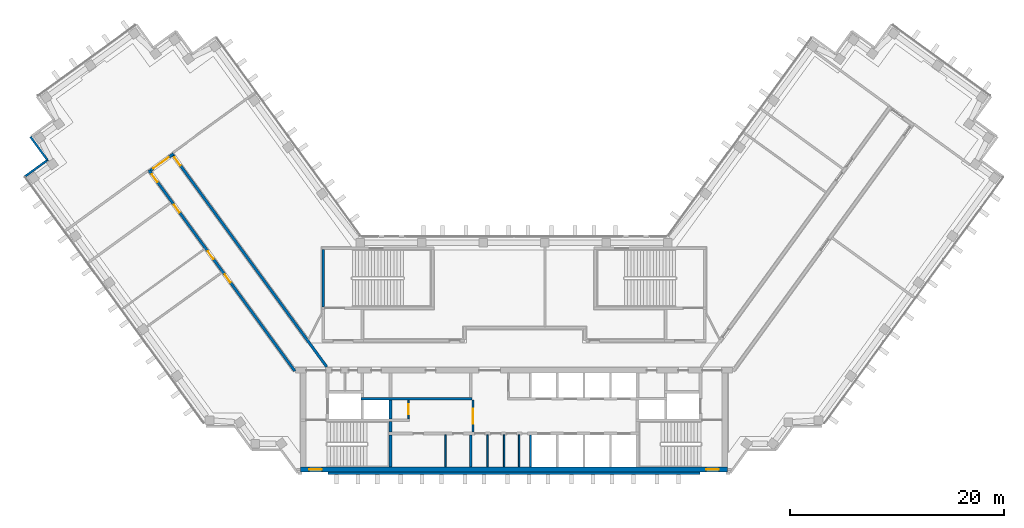
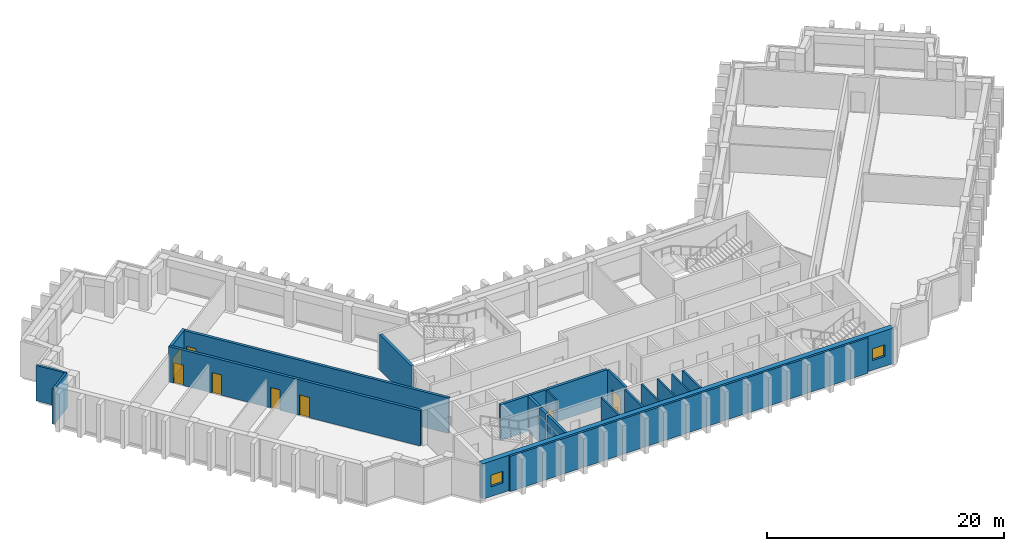
# One storey, part 4 of 10: 20 walls, 8 doors, 2 windows, 10 openings.
"""IFC4 building model written with IfcOpenShell, lengths in metres."""

import ifcopenshell
import ifcopenshell.guid

model = None  # the IFC model being written
_history = None  # IfcOwnerHistory: only IFC2X3 demands one
_inside = {}  # id of a spatial element -> (the spatial element, [elements in it])
_under = {}  # id of a project, library or spatial element -> (it, [spatial elements below it])
_declared = {}  # id of a project -> (the project, [libraries it declares])
_typed = {}  # id of a type object -> (the type object, [elements of that type])
_made_of = {}  # id of a material, layer set ... -> (it, [elements and type objects made of it])


def new_model(schema):
    """Start an empty IFC model of exactly this schema.

    Asked for "IFC4X3", IfcOpenShell would pick the latest addendum, in which some entities
    have other attributes; the version numbers below select the first issue.
    IFC2X3 requires an IfcOwnerHistory on every rooted entity: one is made here for all.
    """
    global model, _history
    if schema == "IFC4X3":
        model = ifcopenshell.file(schema_version=(4, 3, 0, 0))
    else:
        model = ifcopenshell.file(schema=schema)
    _inside.clear()
    _under.clear()
    _declared.clear()
    _typed.clear()
    _made_of.clear()
    _history = None
    if model.schema == "IFC2X3":
        org = make("IfcOrganization", Name="unknown")
        user = make(
            "IfcPersonAndOrganization",
            ThePerson=make("IfcPerson", FamilyName="unknown"),
            TheOrganization=org,
        )
        app = make(
            "IfcApplication",
            ApplicationDeveloper=org,
            Version="unknown",
            ApplicationFullName="unknown",
            ApplicationIdentifier="unknown",
        )
        _history = make(
            "IfcOwnerHistory",
            OwningUser=user,
            OwningApplication=app,
            ChangeAction="ADDED",
            CreationDate=0,
        )
    return model


def make(cls, **values):
    """One entity of the class cls with the attributes given. An attribute that is None is left unset."""
    return model.create_entity(
        cls, **{name: value for name, value in values.items() if value is not None}
    )


def rooted(cls, **values):
    """An entity with a GlobalId (a new one), such as an element, a storey or a relation."""
    return make(cls, GlobalId=ifcopenshell.guid.new(), OwnerHistory=_history, **values)


def si_unit(unit_type, name, prefix=None):
    """IfcSIUnit, for example si_unit("LENGTHUNIT", "METRE", prefix="MILLI")."""
    return make("IfcSIUnit", UnitType=unit_type, Prefix=prefix, Name=name)


def assignment(units):
    """IfcUnitAssignment: the units of a project."""
    return None if units is None else make("IfcUnitAssignment", Units=units)


def point(xyz):
    """IfcCartesianPoint."""
    return None if xyz is None else make("IfcCartesianPoint", Coordinates=xyz)


def direction(xyz):
    """IfcDirection."""
    return None if xyz is None else make("IfcDirection", DirectionRatios=xyz)


def frame(location, z_axis=None, x_axis=None):
    """IfcAxis2Placement3D, a coordinate frame: its origin and axes. An axis left out is left unset."""
    return make(
        "IfcAxis2Placement3D",
        Location=point(location),
        Axis=direction(z_axis),
        RefDirection=direction(x_axis),
    )


def frame_2d(location, x_axis=None):
    """IfcAxis2Placement2D, a coordinate frame in the plane: its origin and x axis."""
    return make(
        "IfcAxis2Placement2D", Location=point(location), RefDirection=direction(x_axis)
    )


def origin():
    """The frame at (0, 0, 0) with its axes left unset."""
    return frame((0.0, 0.0, 0.0))


def place(relative_to, where):
    """IfcLocalPlacement: puts the frame where relative to a parent placement (None: the world)."""
    return make(
        "IfcLocalPlacement", PlacementRelTo=relative_to, RelativePlacement=where
    )


def context(
    kind, dimensions, precision=None, world=None, true_north=None, identifier=None
):
    """IfcGeometricRepresentationContext, for example the 3D "Model" context."""
    return make(
        "IfcGeometricRepresentationContext",
        ContextIdentifier=identifier,
        ContextType=kind,
        CoordinateSpaceDimension=dimensions,
        Precision=precision,
        WorldCoordinateSystem=world,
        TrueNorth=true_north,
    )


def subcontext(parent, identifier, kind, view, scale=None):
    """IfcGeometricRepresentationSubContext, for example "Body" below "Model"."""
    return make(
        "IfcGeometricRepresentationSubContext",
        ContextIdentifier=identifier,
        ContextType=kind,
        ParentContext=parent,
        TargetScale=scale,
        TargetView=view,
    )


def project(units=None, contexts=None):
    """IfcProject with its units and contexts."""
    return rooted(
        "IfcProject",
        Name="project",
        RepresentationContexts=contexts,
        UnitsInContext=assignment(units),
    )


def spatial(cls, under=None, at=None, **own):
    """A site, building, storey or space (cls), placed at a placement, below another one or the project."""
    s = rooted(cls, ObjectPlacement=at, **own)
    if under is not None:
        _under.setdefault(under.id(), (under, []))[1].append(s)
    return s


def profile(cls, at=None, kind="AREA", **sizes):
    """A parametric profile (cls). Its sizes go by their IFC names, for example OverallWidth=200.0."""
    return make(cls, ProfileType=kind, Position=at, **sizes)


def rectangle(**sizes):
    """IfcRectangleProfileDef."""
    return profile("IfcRectangleProfileDef", **sizes)


def extrude(swept, where, along, depth):
    """IfcExtrudedAreaSolid: the profile swept, set in the frame where, extruded along a direction by depth."""
    return make(
        "IfcExtrudedAreaSolid",
        SweptArea=swept,
        Position=where,
        ExtrudedDirection=direction(along),
        Depth=depth,
    )


def shape(context_of_items, identifier, shape_type, items):
    """IfcShapeRepresentation: the items that make up one representation, for example the "Body"."""
    return make(
        "IfcShapeRepresentation",
        ContextOfItems=context_of_items,
        RepresentationIdentifier=identifier,
        RepresentationType=shape_type,
        Items=items,
    )


def material(Name=None, Category=None):
    """IfcMaterial."""
    return make("IfcMaterial", Name=Name, Category=Category)


def layer(
    of_material, thickness, ventilated=None, Name=None, Category=None, Priority=None
):
    """IfcMaterialLayer: one layer of a wall or slab, of a material (None: an air gap)."""
    return make(
        "IfcMaterialLayer",
        Material=of_material,
        LayerThickness=thickness,
        IsVentilated=ventilated,
        Name=Name,
        Category=Category,
        Priority=Priority,
    )


def layer_set(layers, Name=None):
    """IfcMaterialLayerSet."""
    return make("IfcMaterialLayerSet", MaterialLayers=layers, LayerSetName=Name)


def made_of(thing, what):
    """Note that an element or type object is made of a material, layer set ...; save() writes the relation."""
    if what is not None:
        _made_of.setdefault(what.id(), (what, []))[1].append(thing)
    return thing


def type_object(cls, material=None, **own):
    """A type object (cls), such as IfcWallType, which elements share."""
    return made_of(rooted(cls, **own), material)


def element(
    cls,
    number,
    at=None,
    inside=None,
    cuts=None,
    type_object=None,
    material=None,
    context=None,
    identifier="Body",
    shape_type=None,
    held_by="IfcProductDefinitionShape",
    body=None,
    shapes=None,
    **own,
):
    """One element of the class cls, such as IfcWall. Its Tag is "e" and its number.

    at: its placement. inside: the storey or other place that contains it. cuts: it is an
    opening in that element (IfcRelVoidsElement). A single representation is given by context,
    identifier, shape_type and body (its items); several are given by shapes. held_by: the class
    of the entity that holds the representations. save() writes the other relations.
    """
    e = rooted(cls, Tag="e%d" % number, ObjectPlacement=at, **own)
    if body is not None:
        shapes = [shape(context, identifier, shape_type, body)]
    if shapes is not None:
        e.Representation = make(held_by, Representations=shapes)
    if inside is not None:
        _inside.setdefault(inside.id(), (inside, []))[1].append(e)
    if cuts is not None:
        rooted(
            "IfcRelVoidsElement", RelatingBuildingElement=cuts, RelatedOpeningElement=e
        )
    if type_object is not None:
        _typed.setdefault(type_object.id(), (type_object, []))[1].append(e)
    return made_of(e, material)


def fill(opening, filler):
    """IfcRelFillsElement: the door or window that sits in an opening."""
    return rooted(
        "IfcRelFillsElement",
        RelatingOpeningElement=opening,
        RelatedBuildingElement=filler,
    )


def aggregate(whole, parts):
    """IfcRelAggregates: a whole, such as a stair, and the parts it consists of."""
    return rooted("IfcRelAggregates", RelatingObject=whole, RelatedObjects=parts)


def save(model, path):
    """Write the relations noted so far, then the file.

    IfcRelAggregates (storeys below a building ...), IfcRelContainedInSpatialStructure (elements
    in a storey), IfcRelDefinesByType, IfcRelAssociatesMaterial and IfcRelDeclares: one each for
    every whole, place, type object, material and project.
    """
    for whole, parts in _under.values():
        aggregate(whole, parts)
    for where, things in _inside.values():
        rooted(
            "IfcRelContainedInSpatialStructure",
            RelatedElements=things,
            RelatingStructure=where,
        )
    for kind, things in _typed.values():
        rooted("IfcRelDefinesByType", RelatedObjects=things, RelatingType=kind)
    for what, things in _made_of.values():
        rooted("IfcRelAssociatesMaterial", RelatedObjects=things, RelatingMaterial=what)
    for by, libraries in _declared.values():
        rooted("IfcRelDeclares", RelatingContext=by, RelatedDefinitions=libraries)
    model.write(path)


model = new_model("IFC4")

# Units and contexts
model_context = context("Model", 3, precision=1e-05, world=origin(), true_north=direction((0.0, 1.0)))
body_context = subcontext(model_context, "Body", "Model", "MODEL_VIEW")
ifc_project = project(units=[si_unit("LENGTHUNIT", "METRE"), si_unit("AREAUNIT", "SQUARE_METRE"), si_unit("VOLUMEUNIT", "CUBIC_METRE"), si_unit("PLANEANGLEUNIT", "RADIAN"), si_unit("MASSUNIT", "GRAM", prefix="KILO")], contexts=[model_context])

# Site, building, storey
site_placement = place(None, origin())
site = spatial("IfcSite", under=ifc_project, at=site_placement, CompositionType="ELEMENT")
building_placement = place(site_placement, origin())
building = spatial("IfcBuilding", under=site, at=building_placement, Name="Quipu Civic Tower", CompositionType="ELEMENT")
storey_placement = place(building_placement, frame((0.0, 0.0, 176.0)))
storey = spatial("IfcBuildingStorey", under=building, at=storey_placement, Name="L41", CompositionType="ELEMENT", Elevation=176.0)

# Walls
ifc_material_1 = material(Name="Concrete C70/85", Category="concrete")
ifc_layer_1 = layer(ifc_material_1, 0.25)
ifc_layer_set_1 = layer_set([ifc_layer_1], Name="Concrete C70/85")
wall_type_1 = type_object("IfcWallType", Name="Core wall 250", PredefinedType="SHEAR", material=ifc_layer_set_1)
wall_1_placement = place(storey_placement, frame((-11.574951171875, -10.5, 0.0), z_axis=(0.0, 0.0, 1.0), x_axis=(0.0, 1.0, 0.0)))
element("IfcWall", 1, at=wall_1_placement, inside=storey, type_object=wall_type_1, Name="Core wall", PredefinedType="SHEAR", context=body_context, shape_type="SweptSolid", body=[
    extrude(rectangle(XDim=3.0, YDim=0.25, at=frame_2d((1.5, 0.0))), origin(), (0.0, 0.0, 1.0), 3.64990234375),
])
wall_2_placement = place(storey_placement, frame((-11.574951171875, -7.25, 0.0), z_axis=(0.0, 0.0, 1.0), x_axis=(0.0, 1.0, 0.0)))
element("IfcWall", 2, at=wall_2_placement, inside=storey, type_object=wall_type_1, Name="Core wall", PredefinedType="SHEAR", context=body_context, shape_type="SweptSolid", body=[
    extrude(rectangle(XDim=1.0, YDim=0.25, at=frame_2d((0.5, 0.0))), origin(), (0.0, 0.0, 1.0), 3.64990234375),
])
wall_3_placement = place(storey_placement, frame((-11.574951171875, -6.0, 0.0), z_axis=(0.0, 0.0, 1.0), x_axis=(0.0, 1.0, 0.0)))
element("IfcWall", 3, at=wall_3_placement, inside=storey, type_object=wall_type_1, Name="Core wall", PredefinedType="SHEAR", context=body_context, shape_type="SweptSolid", body=[
    extrude(rectangle(XDim=1.75, YDim=0.25, at=frame_2d((0.875, 0.0))), origin(), (0.0, 0.0, 1.0), 3.64990234375),
])
wall_4_placement = place(storey_placement, frame((-14.35009765625, -4.125, 0.0), z_axis=(0.0, 0.0, 1.0), x_axis=(1.0, 0.0, 0.0)))
element("IfcWall", 4, at=wall_4_placement, inside=storey, type_object=wall_type_1, Name="Core wall", PredefinedType="SHEAR", context=body_context, shape_type="SweptSolid", body=[
    extrude(rectangle(XDim=10.400146484375, YDim=0.25, at=frame_2d((5.2001953125, 0.0))), origin(), (0.0, 0.0, 1.0), 3.64990234375),
])
wall_5_placement = place(storey_placement, frame((-17.875, 4.5, 0.0), z_axis=(0.0, 0.0, 1.0), x_axis=(0.0, 1.0, 0.0)))
element("IfcWall", 5, at=wall_5_placement, inside=storey, type_object=wall_type_1, Name="Core wall", PredefinedType="SHEAR", context=body_context, shape_type="SweptSolid", body=[
    extrude(rectangle(XDim=5.35009765625, YDim=0.25, at=frame_2d((2.675048828125, 0.0))), origin(), (0.0, 0.0, 1.0), 3.64990234375),
])

# Wall, openings, windows
ifc_material_2 = material(Name="Concrete C70/85", Category="concrete")
ifc_layer_2 = layer(ifc_material_2, 0.5)
ifc_layer_set_2 = layer_set([ifc_layer_2], Name="Concrete C70/85")
wall_type_2 = type_object("IfcWallType", Name="Core wall 500", PredefinedType="SHEAR", material=ifc_layer_set_2)
wall_6_placement = place(storey_placement, frame((-20.0, -10.75, 0.0), z_axis=(0.0, 0.0, 1.0), x_axis=(1.0, 0.0, 0.0)))
wall_6 = element("IfcWall", 6, at=wall_6_placement, inside=storey, type_object=wall_type_2, Name="Core wall", PredefinedType="SHEAR", context=body_context, shape_type="SweptSolid", body=[
    extrude(rectangle(XDim=40.0, YDim=0.5, at=frame_2d((20.0, 0.0))), origin(), (0.0, 0.0, 1.0), 3.64990234375),
])
opening_1_placement = place(wall_6_placement, frame((0.800048828125, 0.0, 1.0)))
opening_1 = element("IfcOpeningElement", 7, at=opening_1_placement, cuts=wall_6, Name="Opening SV-1", PredefinedType="OPENING", context=body_context, shape_type="SweptSolid", body=[
    extrude(rectangle(XDim=1.199951171875, YDim=1.199951171875, at=frame_2d((0.60009765625, 0.60009765625))), frame((0.0, 0.260009765625, 0.0), z_axis=(0.0, -1.0, 0.0), x_axis=(1.0, 0.0, 0.0)), (0.0, 0.0, 1.0), 0.52001953125),
])
opening_2_placement = place(wall_6_placement, frame((38.0, 0.0, 1.0)))
opening_2 = element("IfcOpeningElement", 8, at=opening_2_placement, cuts=wall_6, Name="Opening SV-2", PredefinedType="OPENING", context=body_context, shape_type="SweptSolid", body=[
    extrude(rectangle(XDim=1.199951171875, YDim=1.199951171875, at=frame_2d((0.60009765625, 0.60009765625))), frame((0.0, 0.260009765625, 0.0), z_axis=(0.0, -1.0, 0.0), x_axis=(1.0, 0.0, 0.0)), (0.0, 0.0, 1.0), 0.52001953125),
])
ifc_material_3 = material(Name="Aluminium louvre", Category="aluminium")
window_type = type_object("IfcWindowType", Name="Stair ventilation louvre 1200 x 1200", PartitioningType="SINGLE_PANEL", PredefinedType="WINDOW", material=ifc_material_3)
window_1_placement = place(opening_1_placement, origin())
window_1 = element("IfcWindow", 9, at=window_1_placement, inside=storey, type_object=window_type, Name="Stair ventilation opening", OverallHeight=1.199951171875, OverallWidth=1.199951171875, PartitioningType="SINGLE_PANEL", PredefinedType="WINDOW", context=body_context, shape_type="SweptSolid", body=[
    extrude(rectangle(XDim=1.199951171875, YDim=1.199951171875, at=frame_2d((0.60009765625, 0.60009765625))), frame((0.0, 0.030029296875, 0.0), z_axis=(0.0, -1.0, 0.0), x_axis=(1.0, 0.0, 0.0)), (0.0, 0.0, 1.0), 0.06005859375),
])
fill(opening_1, window_1)
window_2_placement = place(opening_2_placement, origin())
window_2 = element("IfcWindow", 10, at=window_2_placement, inside=storey, type_object=window_type, Name="Stair ventilation opening", OverallHeight=1.199951171875, OverallWidth=1.199951171875, PartitioningType="SINGLE_PANEL", PredefinedType="WINDOW", context=body_context, shape_type="SweptSolid", body=[
    extrude(rectangle(XDim=1.199951171875, YDim=1.199951171875, at=frame_2d((0.60009765625, 0.60009765625))), frame((0.0, 0.030029296875, 0.0), z_axis=(0.0, -1.0, 0.0), x_axis=(1.0, 0.0, 0.0)), (0.0, 0.0, 1.0), 0.06005859375),
])
fill(opening_2, window_2)

# Wall, openings, doors
ifc_material_4 = material(Name="Concrete C50/60", Category="concrete")
ifc_layer_3 = layer(ifc_material_4, 0.25)
ifc_layer_set_3 = layer_set([ifc_layer_3], Name="Concrete C50/60")
wall_type_3 = type_object("IfcWallType", Name="Corridor wall 250 concrete", PredefinedType="SOLIDWALL", material=ifc_layer_set_3)
wall_7_placement = place(storey_placement, frame((-20.531005859375, -1.5234375, 0.0), z_axis=(0.0, 0.0, 1.0), x_axis=(-0.587784239999, 0.809017729849, 0.0)))
wall_7 = element("IfcWall", 11, at=wall_7_placement, inside=storey, type_object=wall_type_3, Name="Corridor wall C04", PredefinedType="SOLIDWALL", context=body_context, shape_type="SweptSolid", body=[
    extrude(rectangle(XDim=23.2705078125, YDim=0.25, at=frame_2d((11.63525390625, 0.0))), origin(), (0.0, 0.0, 1.0), 3.64990234375),
])
opening_3_placement = place(wall_7_placement, frame((18.36572265625, 0.0, 0.0)))
opening_3 = element("IfcOpeningElement", 12, at=opening_3_placement, cuts=wall_7, Name="Opening D011", PredefinedType="OPENING", context=body_context, shape_type="SweptSolid", body=[
    extrude(rectangle(XDim=0.89990234375, YDim=2.10009765625, at=frame_2d((0.449951171875, 1.050048828125))), frame((0.0, 0.135009765625, 0.0), z_axis=(0.0, -1.0, 0.0), x_axis=(1.0, 0.0, 0.0)), (0.0, 0.0, 1.0), 0.27001953125),
])
opening_4_placement = place(wall_7_placement, frame((10.265869140625, 0.0, 0.0)))
opening_4 = element("IfcOpeningElement", 13, at=opening_4_placement, cuts=wall_7, Name="Opening D013", PredefinedType="OPENING", context=body_context, shape_type="SweptSolid", body=[
    extrude(rectangle(XDim=0.89990234375, YDim=2.10009765625, at=frame_2d((0.449951171875, 1.050048828125))), frame((0.0, 0.135009765625, 0.0), z_axis=(0.0, -1.0, 0.0), x_axis=(1.0, 0.0, 0.0)), (0.0, 0.0, 1.0), 0.27001953125),
])
opening_5_placement = place(wall_7_placement, frame((21.89599609375, 0.0, 0.0)))
opening_5 = element("IfcOpeningElement", 14, at=opening_5_placement, cuts=wall_7, Name="Opening D010", PredefinedType="OPENING", context=body_context, shape_type="SweptSolid", body=[
    extrude(rectangle(XDim=0.89990234375, YDim=2.10009765625, at=frame_2d((0.449951171875, 1.050048828125))), frame((0.0, 0.135009765625, 0.0), z_axis=(0.0, -1.0, 0.0), x_axis=(1.0, 0.0, 0.0)), (0.0, 0.0, 1.0), 0.27001953125),
])
opening_6_placement = place(wall_7_placement, frame((12.96630859375, 0.0, 0.0)))
opening_6 = element("IfcOpeningElement", 15, at=opening_6_placement, cuts=wall_7, Name="Opening D012", PredefinedType="OPENING", context=body_context, shape_type="SweptSolid", body=[
    extrude(rectangle(XDim=0.89990234375, YDim=2.10009765625, at=frame_2d((0.449951171875, 1.050048828125))), frame((0.0, 0.135009765625, 0.0), z_axis=(0.0, -1.0, 0.0), x_axis=(1.0, 0.0, 0.0)), (0.0, 0.0, 1.0), 0.27001953125),
])
ifc_material_5 = material(Name="Fire rated timber door set with metal frame", Category="wood")
door_type_1 = type_object("IfcDoorType", Name="Single door 900 x 2100 FD60", OperationType="NOTDEFINED", PredefinedType="DOOR", material=ifc_material_5)
door_1_placement = place(opening_3_placement, origin())
door_1 = element("IfcDoor", 16, at=door_1_placement, inside=storey, type_object=door_type_1, Name="Door D011", OperationType="SINGLE_SWING_RIGHT", OverallHeight=2.10009765625, OverallWidth=0.89990234375, PredefinedType="DOOR", context=body_context, shape_type="SweptSolid", body=[
    extrude(rectangle(XDim=0.89990234375, YDim=2.10009765625, at=frame_2d((0.449951171875, 1.050048828125))), frame((0.0, 0.02490234375, 0.0), z_axis=(0.0, -1.0, 0.0), x_axis=(1.0, 0.0, 0.0)), (0.0, 0.0, 1.0), 0.050048828125),
])
fill(opening_3, door_1)
door_2_placement = place(opening_4_placement, origin())
door_2 = element("IfcDoor", 17, at=door_2_placement, inside=storey, type_object=door_type_1, Name="Door D013", OperationType="SINGLE_SWING_RIGHT", OverallHeight=2.10009765625, OverallWidth=0.89990234375, PredefinedType="DOOR", context=body_context, shape_type="SweptSolid", body=[
    extrude(rectangle(XDim=0.89990234375, YDim=2.10009765625, at=frame_2d((0.449951171875, 1.050048828125))), frame((0.0, 0.02490234375, 0.0), z_axis=(0.0, -1.0, 0.0), x_axis=(1.0, 0.0, 0.0)), (0.0, 0.0, 1.0), 0.050048828125),
])
fill(opening_4, door_2)
door_3_placement = place(opening_5_placement, origin())
door_3 = element("IfcDoor", 18, at=door_3_placement, inside=storey, type_object=door_type_1, Name="Door D010", OperationType="SINGLE_SWING_RIGHT", OverallHeight=2.10009765625, OverallWidth=0.89990234375, PredefinedType="DOOR", context=body_context, shape_type="SweptSolid", body=[
    extrude(rectangle(XDim=0.89990234375, YDim=2.10009765625, at=frame_2d((0.449951171875, 1.050048828125))), frame((0.0, 0.02490234375, 0.0), z_axis=(0.0, -1.0, 0.0), x_axis=(1.0, 0.0, 0.0)), (0.0, 0.0, 1.0), 0.050048828125),
])
fill(opening_5, door_3)
door_4_placement = place(opening_6_placement, origin())
door_4 = element("IfcDoor", 19, at=door_4_placement, inside=storey, type_object=door_type_1, Name="Door D012", OperationType="SINGLE_SWING_RIGHT", OverallHeight=2.10009765625, OverallWidth=0.89990234375, PredefinedType="DOOR", context=body_context, shape_type="SweptSolid", body=[
    extrude(rectangle(XDim=0.89990234375, YDim=2.10009765625, at=frame_2d((0.449951171875, 1.050048828125))), frame((0.0, 0.02490234375, 0.0), z_axis=(0.0, -1.0, 0.0), x_axis=(1.0, 0.0, 0.0)), (0.0, 0.0, 1.0), 0.050048828125),
])
fill(opening_6, door_4)

# Wall, opening, door
wall_8_placement = place(storey_placement, frame((-34.0341796875, 17.275146484375, 0.0), z_axis=(0.0, 0.0, 1.0), x_axis=(0.809006914995, 0.587799125119, 0.0)))
wall_8 = element("IfcWall", 20, at=wall_8_placement, inside=storey, type_object=wall_type_3, Name="Corridor wall C05", PredefinedType="SOLIDWALL", context=body_context, shape_type="SweptSolid", body=[
    extrude(rectangle(XDim=2.64990234375, YDim=0.25, at=frame_2d((1.324951171875, 0.0))), origin(), (0.0, 0.0, 1.0), 3.64990234375),
])
opening_7_placement = place(wall_8_placement, frame((0.30029296875, 0.0, 0.0)))
opening_7 = element("IfcOpeningElement", 21, at=opening_7_placement, cuts=wall_8, Name="Opening D014", PredefinedType="OPENING", context=body_context, shape_type="SweptSolid", body=[
    extrude(rectangle(XDim=1.800048828125, YDim=2.10009765625, at=frame_2d((0.89990234375, 1.050048828125))), frame((0.0, 0.135009765625, 0.0), z_axis=(0.0, -1.0, 0.0), x_axis=(1.0, 0.0, 0.0)), (0.0, 0.0, 1.0), 0.27001953125),
])
ifc_material_6 = material(Name="Fire rated timber door set with metal frame", Category="wood")
door_type_2 = type_object("IfcDoorType", Name="Double door 1800 x 2100 FD60", OperationType="DOUBLE_DOOR_SINGLE_SWING", PredefinedType="DOOR", material=ifc_material_6)
door_5_placement = place(opening_7_placement, origin())
door_5 = element("IfcDoor", 22, at=door_5_placement, inside=storey, type_object=door_type_2, Name="Door D014", OperationType="DOUBLE_DOOR_SINGLE_SWING", OverallHeight=2.10009765625, OverallWidth=1.800048828125, PredefinedType="DOOR", context=body_context, shape_type="SweptSolid", body=[
    extrude(rectangle(XDim=1.800048828125, YDim=2.10009765625, at=frame_2d((0.89990234375, 1.050048828125))), frame((0.0, 0.02490234375, 0.0), z_axis=(0.0, -1.0, 0.0), x_axis=(1.0, 0.0, 0.0)), (0.0, 0.0, 1.0), 0.050048828125),
])
fill(opening_7, door_5)

wall_9_placement = place(storey_placement, frame((-31.918212890625, 18.658203125, 0.0), z_axis=(0.0, 0.0, 1.0), x_axis=(0.587788731405, -0.80901446664, 0.0)))
wall_9 = element("IfcWall", 23, at=wall_9_placement, inside=storey, type_object=wall_type_3, Name="Corridor wall C06", PredefinedType="SOLIDWALL", context=body_context, shape_type="SweptSolid", body=[
    extrude(rectangle(XDim=24.453125, YDim=0.25, at=frame_2d((12.2265625, 0.0))), origin(), (0.0, 0.0, 1.0), 3.64990234375),
])
opening_8_placement = place(wall_9_placement, frame((0.22412109375, 0.0, 0.0)))
opening_8 = element("IfcOpeningElement", 24, at=opening_8_placement, cuts=wall_9, Name="Opening D009", PredefinedType="OPENING", context=body_context, shape_type="SweptSolid", body=[
    extrude(rectangle(XDim=0.89990234375, YDim=2.10009765625, at=frame_2d((0.449951171875, 1.050048828125))), frame((0.0, 0.135009765625, 0.0), z_axis=(0.0, -1.0, 0.0), x_axis=(1.0, 0.0, 0.0)), (0.0, 0.0, 1.0), 0.27001953125),
])
door_6_placement = place(opening_8_placement, origin())
door_6 = element("IfcDoor", 25, at=door_6_placement, inside=storey, type_object=door_type_1, Name="Door D009", OperationType="SINGLE_SWING_LEFT", OverallHeight=2.10009765625, OverallWidth=0.89990234375, PredefinedType="DOOR", context=body_context, shape_type="SweptSolid", body=[
    extrude(rectangle(XDim=0.89990234375, YDim=2.10009765625, at=frame_2d((0.449951171875, 1.050048828125))), frame((0.0, 0.02490234375, 0.0), z_axis=(0.0, -1.0, 0.0), x_axis=(1.0, 0.0, 0.0)), (0.0, 0.0, 1.0), 0.050048828125),
])
fill(opening_8, door_6)

# Walls
ifc_material_7 = material(Name="Gypsum board partition")
ifc_layer_4 = layer(ifc_material_7, 0.14990234375)
ifc_layer_set_4 = layer_set([ifc_layer_4], Name="Gypsum board partition")
wall_type_4 = type_object("IfcWallType", Name="Partition 150", PredefinedType="PARTITIONING", material=ifc_layer_set_4)
for number, where, z_axis, x_axis, name in (
    (26, (-6.39990234375, -10.5, 0.0), (0.0, 0.0, 1.0), (0.0, 1.0, 0.0), "Partition"),
    (27, (-2.47509765625, -10.5, 0.0), (0.0, 0.0, 1.0), (0.0, 1.0, 0.0), "Partition"),
    (28, (-0.925048828125, -10.5, 0.0), (0.0, 0.0, 1.0), (0.0, 1.0, 0.0), "Partition"),
    (29, (0.47509765625, -10.5, 0.0), (0.0, 0.0, 1.0), (0.0, 1.0, 0.0), "Partition"),
):
    element("IfcWall", number, at=place(storey_placement, frame(where, z_axis=z_axis, x_axis=x_axis)), inside=storey, type_object=wall_type_4, Name=name, PredefinedType="PARTITIONING", context=body_context, shape_type="SweptSolid", body=[
        extrude(rectangle(XDim=3.0, YDim=0.14990234375, at=frame_2d((1.5, 0.0))), origin(), (0.0, 0.0, 1.0), 3.64990234375),
    ])

# Wall, opening, door
wall_10_placement = place(storey_placement, frame((-9.875, -4.25, 0.0), z_axis=(0.0, 0.0, 1.0), x_axis=(0.0, -1.0, 0.0)))
wall_10 = element("IfcWall", 30, at=wall_10_placement, inside=storey, type_object=wall_type_4, Name="Partition", PredefinedType="PARTITIONING", context=body_context, shape_type="SweptSolid", body=[
    extrude(rectangle(XDim=1.75, YDim=0.14990234375, at=frame_2d((0.875, 0.0))), origin(), (0.0, 0.0, 1.0), 3.64990234375),
])
opening_9_placement = place(wall_10_placement, frame((0.39990234375, 0.0, 0.0)))
opening_9 = element("IfcOpeningElement", 31, at=opening_9_placement, cuts=wall_10, Name="Opening CD-10", PredefinedType="OPENING", context=body_context, shape_type="SweptSolid", body=[
    extrude(rectangle(XDim=0.89990234375, YDim=2.10009765625, at=frame_2d((0.449951171875, 1.050048828125))), frame((0.0, 0.0849609375, 0.0), z_axis=(0.0, -1.0, 0.0), x_axis=(1.0, 0.0, 0.0)), (0.0, 0.0, 1.0), 0.169921875),
])
ifc_material_8 = material(Name="Fire rated steel door", Category="steel")
door_type_3 = type_object("IfcDoorType", Name="Fire door FD60 900 x 2100", OperationType="NOTDEFINED", PredefinedType="DOOR", material=ifc_material_8)
door_7_placement = place(opening_9_placement, origin())
door_7 = element("IfcDoor", 32, at=door_7_placement, inside=storey, type_object=door_type_3, Name="Door", OperationType="SINGLE_SWING_LEFT", OverallHeight=2.10009765625, OverallWidth=0.89990234375, PredefinedType="DOOR", context=body_context, shape_type="SweptSolid", body=[
    extrude(rectangle(XDim=0.89990234375, YDim=2.10009765625, at=frame_2d((0.449951171875, 1.050048828125))), frame((0.0, 0.02490234375, 0.0), z_axis=(0.0, -1.0, 0.0), x_axis=(1.0, 0.0, 0.0)), (0.0, 0.0, 1.0), 0.050048828125),
])
fill(opening_9, door_7)

# Walls
ifc_material_9 = material(Name="Precast concrete C40/50", Category="concrete")
wall_type_5 = type_object("IfcWallType", Name="Precast cladding wall", PredefinedType="SOLIDWALL", material=ifc_material_9)
wall_11_placement = place(storey_placement, frame((-17.44384765625, -11.087890625, 0.0), z_axis=(0.0, 0.0, 1.0), x_axis=(1.0, 0.0, 0.0)))
element("IfcWall", 33, at=wall_11_placement, inside=storey, type_object=wall_type_5, Name="Precast cladding wall L41 P14", PredefinedType="SOLIDWALL", context=body_context, shape_type="SweptSolid", body=[
    extrude(rectangle(XDim=34.8876953125, YDim=0.199951171875, at=frame_2d((17.44384765625, 0.0))), origin(), (0.0, 0.0, 1.0), 3.64990234375),
])
for number, where, z_axis, x_axis, name in (
    (34, (-45.29638671875, 20.43359375, 0.0), (0.0, 0.0, 1.0), (0.587762999008, -0.809033161865, 0.0), "Precast cladding wall L41 2"),
    (35, (-43.658203125, 18.271728515625, 0.0), (0.0, 0.0, 1.0), (-0.808958916286, -0.58786518162, 0.0), "Precast cladding wall L41 3"),
):
    element("IfcWall", number, at=place(storey_placement, frame(where, z_axis=z_axis, x_axis=x_axis)), inside=storey, type_object=wall_type_5, Name=name, PredefinedType="SOLIDWALL", context=body_context, shape_type="SweptSolid", body=[
        extrude(rectangle(XDim=2.699951171875, YDim=0.199951171875, at=frame_2d((1.35009765625, 0.0))), origin(), (0.0, 0.0, 1.0), 3.64990234375),
    ])
ifc_material_10 = material(Name="Concrete C40/50", Category="concrete")
ifc_layer_5 = layer(ifc_material_10, 0.199951171875)
ifc_layer_set_5 = layer_set([ifc_layer_5], Name="Concrete C40/50")
wall_type_6 = type_object("IfcWallType", Name="Shaft wall 200", PredefinedType="SOLIDWALL", material=ifc_layer_set_5)
for number, where, z_axis, x_axis, name in (
    (36, (-4.050048828125, -10.5, 0.0), (0.0, 0.0, 1.0), (0.0, 1.0, 0.0), "Shaft wall"),
    (37, (1.550048828125, -10.5, 0.0), (0.0, 0.0, 1.0), (0.0, 1.0, 0.0), "Shaft wall"),
):
    element("IfcWall", number, at=place(storey_placement, frame(where, z_axis=z_axis, x_axis=x_axis)), inside=storey, type_object=wall_type_6, Name=name, PredefinedType="SOLIDWALL", context=body_context, shape_type="SweptSolid", body=[
        extrude(rectangle(XDim=3.0, YDim=0.199951171875, at=frame_2d((1.5, 0.0))), origin(), (0.0, 0.0, 1.0), 3.64990234375),
    ])

# Wall, opening, door
wall_12_placement = place(storey_placement, frame((-3.85009765625, -4.25, 0.0), z_axis=(0.0, 0.0, 1.0), x_axis=(0.0, -1.0, 0.0)))
wall_12 = element("IfcWall", 38, at=wall_12_placement, inside=storey, type_object=wall_type_6, Name="Shaft wall", PredefinedType="SOLIDWALL", context=body_context, shape_type="SweptSolid", body=[
    extrude(rectangle(XDim=3.0, YDim=0.199951171875, at=frame_2d((1.5, 0.0))), origin(), (0.0, 0.0, 1.0), 3.64990234375),
])
opening_10_placement = place(wall_12_placement, frame((0.800048828125, 0.0, 0.0)))
opening_10 = element("IfcOpeningElement", 39, at=opening_10_placement, cuts=wall_12, Name="Opening CD-09", PredefinedType="OPENING", context=body_context, shape_type="SweptSolid", body=[
    extrude(rectangle(XDim=1.39990234375, YDim=2.10009765625, at=frame_2d((0.699951171875, 1.050048828125))), frame((0.0, 0.10986328125, 0.0), z_axis=(0.0, -1.0, 0.0), x_axis=(1.0, 0.0, 0.0)), (0.0, 0.0, 1.0), 0.219970703125),
])
ifc_material_11 = material(Name="Fire rated steel door", Category="steel")
door_type_4 = type_object("IfcDoorType", Name="Fire door FD60 double 1400 x 2100", OperationType="NOTDEFINED", PredefinedType="DOOR", material=ifc_material_11)
door_8_placement = place(opening_10_placement, origin())
door_8 = element("IfcDoor", 40, at=door_8_placement, inside=storey, type_object=door_type_4, Name="Hall door", OperationType="DOUBLE_DOOR_SINGLE_SWING", OverallHeight=2.10009765625, OverallWidth=1.39990234375, PredefinedType="DOOR", context=body_context, shape_type="SweptSolid", body=[
    extrude(rectangle(XDim=1.39990234375, YDim=2.10009765625, at=frame_2d((0.699951171875, 1.050048828125))), frame((0.0, 0.02490234375, 0.0), z_axis=(0.0, -1.0, 0.0), x_axis=(1.0, 0.0, 0.0)), (0.0, 0.0, 1.0), 0.050048828125),
])
fill(opening_10, door_8)

save(model, "model.ifc")
